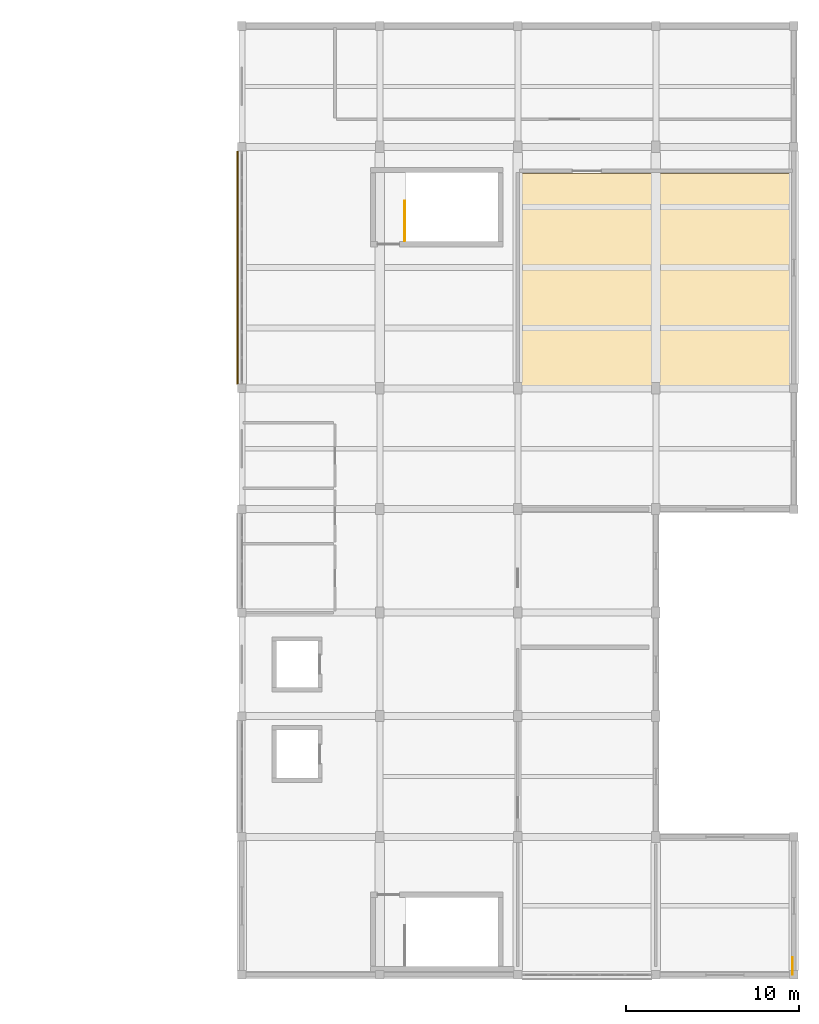
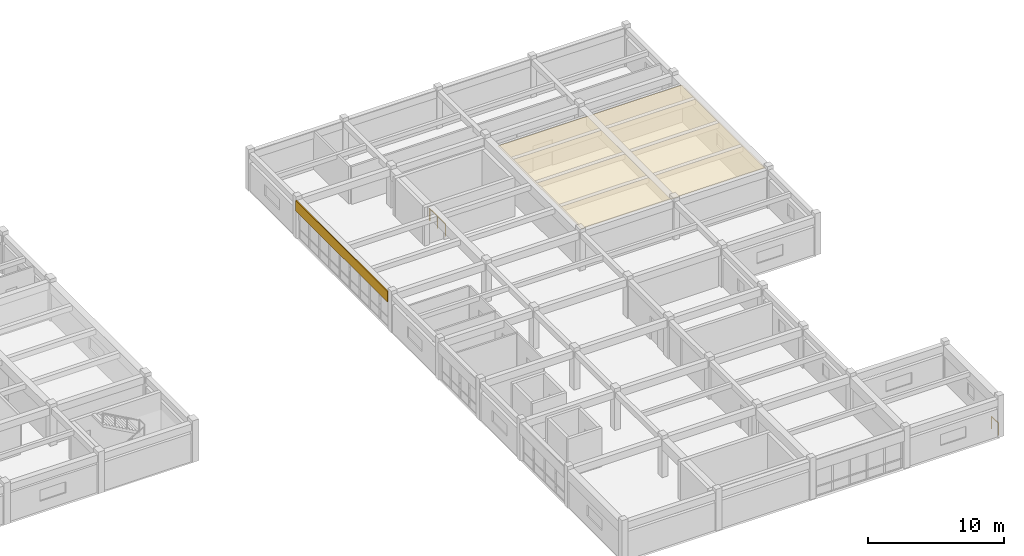
# One storey, part 17 of 17: 2 coverings, 2 railings.
"""IFC4 building model written with IfcOpenShell, lengths in metres."""

from ifc_helpers import new_model, si_unit, direction, frame, origin, origin_2d, place, context, subcontext, project, spatial, polyline, rectangle, circle, outline, extrude, material, layer, layer_set, type_object, element, save


model = new_model("IFC4")

# Units and contexts
model_context = context("Model", 3, precision=1e-05, world=origin(), true_north=direction((0.0, 1.0)))
body_context = subcontext(model_context, "Body", "Model", "MODEL_VIEW")
ifc_project = project(units=[si_unit("LENGTHUNIT", "METRE"), si_unit("AREAUNIT", "SQUARE_METRE"), si_unit("VOLUMEUNIT", "CUBIC_METRE"), si_unit("PLANEANGLEUNIT", "RADIAN"), si_unit("MASSUNIT", "GRAM", prefix="KILO")], contexts=[model_context])

# Site, building, storey
site_placement = place(None, origin())
site = spatial("IfcSite", under=ifc_project, at=site_placement, CompositionType="ELEMENT")
building_placement = place(site_placement, origin())
building = spatial("IfcBuilding", under=site, at=building_placement, Name="Naurynzar Civic Courthouse", CompositionType="ELEMENT")
storey_placement = place(building_placement, frame((0.0, 0.0, 29.550048828125)))
storey = spatial("IfcBuildingStorey", under=building, at=storey_placement, Name="L08", CompositionType="ELEMENT", Elevation=29.550048828125)

# Coverings
ifc_material_1 = material(Name="Acoustic Oak Timber Grade A", Category="wood")
ifc_layer_1 = layer(ifc_material_1, 0.044921875)
ifc_layer_set_1 = layer_set([ifc_layer_1], Name="CEIL-ACOUSTIC-OAK-45")
covering_type_1 = type_object("IfcCoveringType", Name="CEIL-ACOUSTIC-OAK-45", PredefinedType="CEILING", material=ifc_layer_set_1)
covering_1_placement = place(storey_placement, frame((0.0, 0.0, 3.364990234375)))
element("IfcCovering", 1, at=covering_1_placement, inside=storey, type_object=covering_type_1, Name="Acoustic suspended ceiling Criminal Case Review Hearing Room", PredefinedType="CEILING", context=body_context, shape_type="SweptSolid", body=[
    extrude(outline(polyline([(146.159912109375, 63.43994140625), (161.840087890625, 63.43994140625), (161.840087890625, 51.159912109375), (146.159912109375, 51.159912109375), (146.159912109375, 63.43994140625)])), origin(), (0.0, 0.0, 1.0), 0.044921875),
])
ifc_material_2 = material(Name="Precast concrete C40/50", Category="concrete")
ifc_layer_2 = layer(ifc_material_2, 0.080078125)
ifc_layer_set_2 = layer_set([ifc_layer_2], Name="COV-CLAD-PRECAST-80")
covering_type_2 = type_object("IfcCoveringType", Name="COV-CLAD-PRECAST-80", PredefinedType="CLADDING", material=ifc_layer_set_2)
covering_2_placement = place(storey_placement, frame((129.7451171875, 58.0, 2.510009765625), z_axis=(0.0, 0.0, 1.0), x_axis=(0.0, 1.0, 0.0)))
element("IfcCovering", 2, at=covering_2_placement, inside=storey, type_object=covering_type_2, Name="V5 precast spandrel cladding 119", PredefinedType="CLADDING", context=body_context, shape_type="SweptSolid", body=[
    extrude(rectangle(XDim=13.5, YDim=0.080078125, at=origin_2d()), origin(), (0.0, 0.0, 1.0), 0.9599609375),
])

# Railings
ifc_material_3 = material(Name="Brushed Stainless Steel 304", Category="steel")
railing_type = type_object("IfcRailingType", Name="RAIL-BAL-1100", PredefinedType="BALUSTRADE", material=ifc_material_3)
railing_1_placement = place(storey_placement, frame((161.919921875, 17.02001953125, 0.0)))
element("IfcRailing", 3, at=railing_1_placement, inside=storey, type_object=railing_type, Name="Perimeter edge balustrade guard GR-V5-L08-CORN.1", PredefinedType="BALUSTRADE", context=body_context, shape_type="SweptSolid", body=[
    extrude(circle(Radius=0.02392578125, at=origin_2d()), frame((0.0, 0.0, 1.09619140625), z_axis=(0.0, 1.0, 0.0), x_axis=(-1.0, 0.0, 0.0)), (0.0, 0.0, 1.0), 0.97998046875),
    extrude(circle(Radius=0.02099609375, at=origin_2d()), origin(), (0.0, 0.0, 1.0), 1.072021484375),
    extrude(circle(Radius=0.02099609375, at=origin_2d()), frame((0.0, 0.97998046875, 0.0)), (0.0, 0.0, 1.0), 1.072021484375),
])
railing_2_placement = place(storey_placement, frame((139.43994140625, 59.550048828125, 0.0)))
element("IfcRailing", 4, at=railing_2_placement, inside=storey, type_object=railing_type, Name="Stair ST-V5B top floor well guard L08", PredefinedType="BALUSTRADE", context=body_context, shape_type="SweptSolid", body=[
    extrude(circle(Radius=0.02392578125, at=origin_2d()), frame((0.0, 0.0, 1.09619140625), z_axis=(0.0, 1.0, 0.0), x_axis=(-1.0, 0.0, 0.0)), (0.0, 0.0, 1.0), 2.31005859375),
    extrude(circle(Radius=0.02099609375, at=origin_2d()), origin(), (0.0, 0.0, 1.0), 1.072021484375),
    extrude(circle(Radius=0.02099609375, at=origin_2d()), frame((0.0, 1.155029296875, 0.0)), (0.0, 0.0, 1.0), 1.072021484375),
    extrude(circle(Radius=0.02099609375, at=origin_2d()), frame((0.0, 2.31005859375, 0.0)), (0.0, 0.0, 1.0), 1.072021484375),
])

save(model, "model.ifc")
